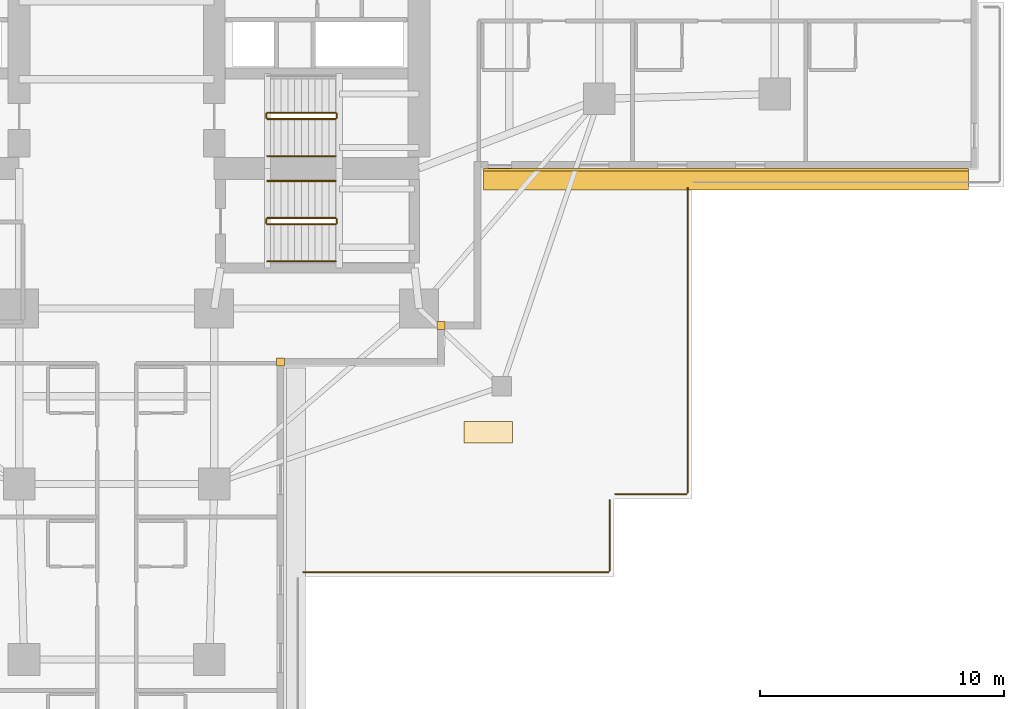
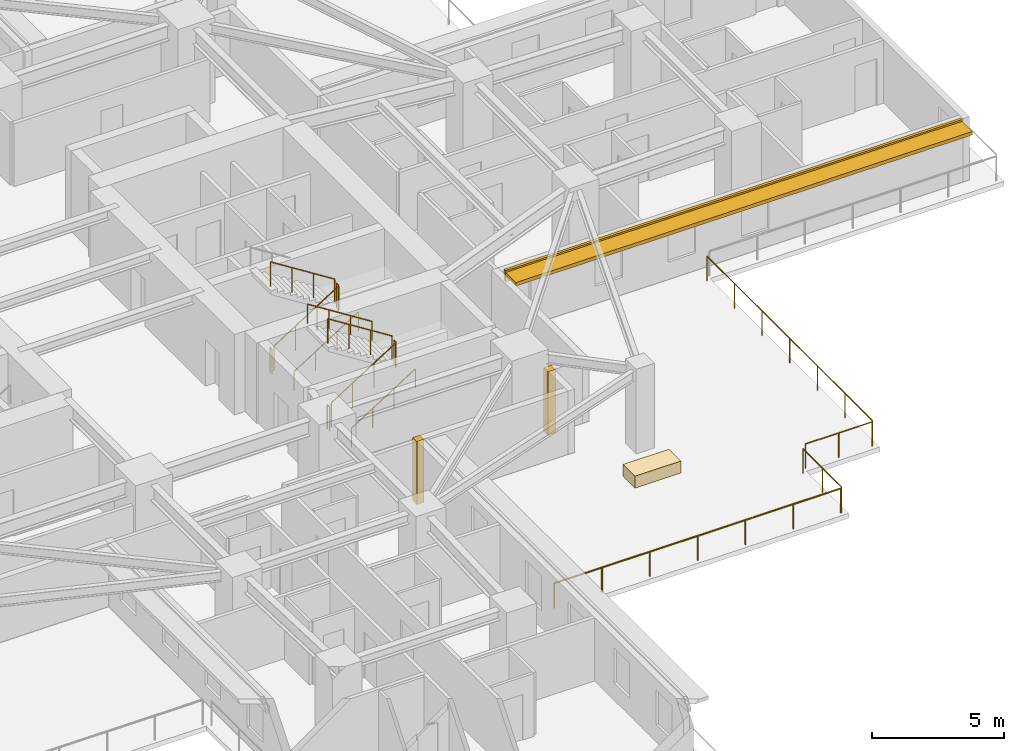
# One storey, part 12 of 15: 15 railings, 4 coverings, 1 shading device.
"""IFC4 building model written with IfcOpenShell, lengths in metres."""

from ifc_helpers import new_model, si_unit, direction, frame, origin, origin_2d, place, context, subcontext, project, spatial, rectangle, circle, extrude, material, layer, layer_set, type_object, element, save


model = new_model("IFC4")

# Units and contexts
model_context = context("Model", 3, precision=1e-05, world=origin(), true_north=direction((0.0, 1.0)))
body_context = subcontext(model_context, "Body", "Model", "MODEL_VIEW")
ifc_project = project(units=[si_unit("LENGTHUNIT", "METRE"), si_unit("AREAUNIT", "SQUARE_METRE"), si_unit("VOLUMEUNIT", "CUBIC_METRE"), si_unit("PLANEANGLEUNIT", "RADIAN"), si_unit("MASSUNIT", "GRAM", prefix="KILO")], contexts=[model_context])

# Site, building, storey
site_placement = place(None, origin())
site = spatial("IfcSite", under=ifc_project, at=site_placement, CompositionType="ELEMENT")
building_placement = place(site_placement, origin())
building = spatial("IfcBuilding", under=site, at=building_placement, Name="Qingluan Cross Belvedere", CompositionType="ELEMENT")
storey_placement = place(building_placement, frame((0.0, 0.0, 23.699951171875)))
storey = spatial("IfcBuildingStorey", under=building, at=storey_placement, Name="L06", CompositionType="ELEMENT", Elevation=23.699951171875)

# Coverings
ifc_material_1 = material(Name="Precast concrete C45", Category="concrete")
ifc_layer_1 = layer(ifc_material_1, 0.1201171875, Name="ConcreteSpandrelCladding_120")
ifc_layer_set_1 = layer_set([ifc_layer_1], Name="Precast concrete C45")
covering_type_1 = type_object("IfcCoveringType", Name="ConcreteSpandrelCladding_120", PredefinedType="CLADDING", material=ifc_layer_set_1)
covering_1_placement = place(storey_placement, frame((24.989990234375, -6.909912109375, 2.449951171875), z_axis=(0.0, 0.0, 1.0), x_axis=(1.0, 0.0, 0.0)))
element("IfcCovering", 1, at=covering_1_placement, inside=storey, type_object=covering_type_1, Name="Spandrel cladding L06-EA", PredefinedType="CLADDING", context=body_context, shape_type="SweptSolid", body=[
    extrude(rectangle(XDim=19.89990234375, YDim=0.1201171875, at=origin_2d()), origin(), (0.0, 0.0, 1.0), 0.52001953125),
])
for number, where, z_axis, x_axis, name in (
    (2, (13.300048828125, -13.300048828125, 0.0), (0.0, 0.0, 1.0), (1.0, 0.0, 0.0), "Corner closure L06-SE1"),
    (3, (6.719970703125, -14.800048828125, 0.0), (0.0, 0.0, 1.0), (1.0, 0.0, 0.0), "Corner closure L06-SE2"),
):
    element("IfcCovering", number, at=place(storey_placement, frame(where, z_axis=z_axis, x_axis=x_axis)), inside=storey, type_object=covering_type_1, Name=name, PredefinedType="CLADDING", context=body_context, shape_type="SweptSolid", body=[
        extrude(rectangle(XDim=0.320068359375, YDim=0.320068359375, at=origin_2d()), origin(), (0.0, 0.0, 1.0), 2.909912109375),
    ])

# Shading device
ifc_material_2 = material(Name="Precast concrete C45", Category="concrete")
ifc_layer_2 = layer(ifc_material_2, 0.159912109375, Name="ConcreteSunshadeBand_900")
ifc_layer_set_2 = layer_set([ifc_layer_2], Name="Precast concrete C45")
shading_device_type = type_object("IfcShadingDeviceType", Name="ConcreteSunshadeBand_900", PredefinedType="USERDEFINED", material=ifc_layer_set_2)
shading_device_placement = place(storey_placement, frame((24.989990234375, -7.2900390625, 2.72998046875), z_axis=(0.0, 0.0, 1.0), x_axis=(1.0, 0.0, 0.0)))
element("IfcShadingDevice", 4, at=shading_device_placement, inside=storey, type_object=shading_device_type, Name="Concrete SUNSHADE L06-EA", ObjectType="SUNSHADE", PredefinedType="USERDEFINED", context=body_context, shape_type="SweptSolid", body=[
    extrude(rectangle(XDim=19.89990234375, YDim=0.89990234375, at=origin_2d()), origin(), (0.0, 0.0, 1.0), 0.159912109375),
])

# Railings
ifc_material_3 = material(Name="Brushed stainless steel tubular handrail", Category="steel")
railing_type_1 = type_object("IfcRailingType", Name="StairPitchHandrail_900", PredefinedType="HANDRAIL", material=ifc_material_3)
for number, where, name in (
    (5, (6.179931640625, -6.35009765625, 0.17724609375), "L06 ST2 stair handrail 1"),
    (6, (6.179931640625, -10.669921875, 0.17724609375), "L06 ST4 stair handrail 1"),
):
    element("IfcRailing", number, at=place(storey_placement, frame(where)), inside=storey, type_object=railing_type_1, Name=name, PredefinedType="HANDRAIL", context=body_context, shape_type="SweptSolid", body=[
        extrude(circle(Radius=0.02392578125, at=origin_2d()), frame((0.0, 0.0, 0.8759765625), z_axis=(0.844908973607, 0.0, 0.534910110503), x_axis=(0.0, 1.0, 0.0)), (0.0, 0.0, 1.0), 3.31396484375),
        extrude(circle(Radius=0.02099609375, at=origin_2d()), origin(), (0.0, 0.0, 1.0), 0.851806640625),
        extrude(circle(Radius=0.02099609375, at=origin_2d()), frame((0.933349609375, 0.0, 0.5908203125)), (0.0, 0.0, 1.0), 0.851806640625),
        extrude(circle(Radius=0.02099609375, at=origin_2d()), frame((1.86669921875, 0.0, 1.181884765625)), (0.0, 0.0, 1.0), 0.851806640625),
        extrude(circle(Radius=0.02099609375, at=origin_2d()), frame((2.800048828125, 0.0, 1.772705078125)), (0.0, 0.0, 1.0), 0.851806640625),
    ])
railing_1_placement = place(storey_placement, frame((8.97998046875, -7.3701171875, 2.12744140625)))
element("IfcRailing", 7, at=railing_1_placement, inside=storey, type_object=railing_type_1, Name="L06 ST4 stair handrail 2", PredefinedType="HANDRAIL", context=body_context, shape_type="SweptSolid", body=[
    extrude(circle(Radius=0.02392578125, at=origin_2d()), frame((0.0, 0.0, 0.8759765625), z_axis=(-0.844908973607, 0.0, 0.534910110503), x_axis=(0.0, -1.0, 0.0)), (0.0, 0.0, 1.0), 3.31396484375),
    extrude(circle(Radius=0.02099609375, at=origin_2d()), origin(), (0.0, 0.0, 1.0), 0.851806640625),
    extrude(circle(Radius=0.02099609375, at=origin_2d()), frame((-0.933349609375, 0.0, 0.5908203125)), (0.0, 0.0, 1.0), 0.851806640625),
    extrude(circle(Radius=0.02099609375, at=origin_2d()), frame((-1.86669921875, 0.0, 1.181884765625)), (0.0, 0.0, 1.0), 0.851806640625),
    extrude(circle(Radius=0.02099609375, at=origin_2d()), frame((-2.800048828125, 0.0, 1.772705078125)), (0.0, 0.0, 1.0), 0.851806640625),
])
ifc_material_4 = material(Name="Painted steel stair well guard", Category="steel")
railing_type_2 = type_object("IfcRailingType", Name="StairWellGuard_1150", PredefinedType="BALUSTRADE", material=ifc_material_4)
railing_2_placement = place(storey_placement, frame((6.179931640625, -4.830078125, 0.17724609375)))
element("IfcRailing", 8, at=railing_2_placement, inside=storey, type_object=railing_type_2, Name="L06 ST2 stair guard 1", PredefinedType="BALUSTRADE", context=body_context, shape_type="SweptSolid", body=[
    extrude(circle(Radius=0.02392578125, at=origin_2d()), frame((0.0, 0.0, 1.1259765625), z_axis=(0.844908973607, 0.0, 0.534910110503), x_axis=(0.0, 1.0, 0.0)), (0.0, 0.0, 1.0), 3.31396484375),
    extrude(circle(Radius=0.02099609375, at=origin_2d()), origin(), (0.0, 0.0, 1.0), 1.101806640625),
    extrude(circle(Radius=0.02099609375, at=origin_2d()), frame((0.933349609375, 0.0, 0.5908203125)), (0.0, 0.0, 1.0), 1.101806640625),
    extrude(circle(Radius=0.02099609375, at=origin_2d()), frame((1.86669921875, 0.0, 1.181884765625)), (0.0, 0.0, 1.0), 1.101806640625),
    extrude(circle(Radius=0.02099609375, at=origin_2d()), frame((2.800048828125, 0.0, 1.772705078125)), (0.0, 0.0, 1.0), 1.101806640625),
])
railing_3_placement = place(storey_placement, frame((9.030029296875, -4.780029296875, 1.949951171875)))
element("IfcRailing", 9, at=railing_3_placement, inside=storey, type_object=railing_type_2, Name="L06 ST2 stair guard 2", PredefinedType="BALUSTRADE", context=body_context, shape_type="SweptSolid", body=[
    extrude(circle(Radius=0.02392578125, at=origin_2d()), frame((0.0, 0.0, 1.1259765625), z_axis=(0.0, 1.0, 0.0), x_axis=(-1.0, 0.0, 0.0)), (0.0, 0.0, 1.0), 0.159912109375),
    extrude(circle(Radius=0.02099609375, at=origin_2d()), origin(), (0.0, 0.0, 1.0), 1.101806640625),
    extrude(circle(Radius=0.02099609375, at=origin_2d()), frame((0.0, 0.159912109375, 0.0)), (0.0, 0.0, 1.0), 1.101806640625),
])
railing_4_placement = place(storey_placement, frame((8.97998046875, -4.570068359375, 2.12744140625)))
element("IfcRailing", 10, at=railing_4_placement, inside=storey, type_object=railing_type_2, Name="L06 ST2 stair guard 3", PredefinedType="BALUSTRADE", context=body_context, shape_type="SweptSolid", body=[
    extrude(circle(Radius=0.02392578125, at=origin_2d()), frame((0.0, 0.0, 1.1259765625), z_axis=(-0.844908973607, 0.0, 0.534910110503), x_axis=(0.0, -1.0, 0.0)), (0.0, 0.0, 1.0), 3.31396484375),
    extrude(circle(Radius=0.02099609375, at=origin_2d()), origin(), (0.0, 0.0, 1.0), 1.101806640625),
    extrude(circle(Radius=0.02099609375, at=origin_2d()), frame((-0.933349609375, 0.0, 0.5908203125)), (0.0, 0.0, 1.0), 1.101806640625),
    extrude(circle(Radius=0.02099609375, at=origin_2d()), frame((-1.86669921875, 0.0, 1.181884765625)), (0.0, 0.0, 1.0), 1.101806640625),
    extrude(circle(Radius=0.02099609375, at=origin_2d()), frame((-2.800048828125, 0.0, 1.772705078125)), (0.0, 0.0, 1.0), 1.101806640625),
])
railing_5_placement = place(storey_placement, frame((6.1298828125, -4.780029296875, 0.0)))
element("IfcRailing", 11, at=railing_5_placement, inside=storey, type_object=railing_type_2, Name="L06 ST2 stair guard 4", PredefinedType="BALUSTRADE", context=body_context, shape_type="SweptSolid", body=[
    extrude(circle(Radius=0.02392578125, at=origin_2d()), frame((0.0, 0.0, 1.1259765625), z_axis=(0.0, 1.0, 0.0), x_axis=(-1.0, 0.0, 0.0)), (0.0, 0.0, 1.0), 0.159912109375),
    extrude(circle(Radius=0.02099609375, at=origin_2d()), origin(), (0.0, 0.0, 1.0), 1.101806640625),
    extrude(circle(Radius=0.02099609375, at=origin_2d()), frame((0.0, 0.159912109375, 0.0)), (0.0, 0.0, 1.0), 1.101806640625),
])
railing_6_placement = place(storey_placement, frame((6.179931640625, -9.14990234375, 0.17724609375)))
element("IfcRailing", 12, at=railing_6_placement, inside=storey, type_object=railing_type_2, Name="L06 ST4 stair guard 1", PredefinedType="BALUSTRADE", context=body_context, shape_type="SweptSolid", body=[
    extrude(circle(Radius=0.02392578125, at=origin_2d()), frame((0.0, 0.0, 1.1259765625), z_axis=(0.844908973607, 0.0, 0.534910110503), x_axis=(0.0, 1.0, 0.0)), (0.0, 0.0, 1.0), 3.31396484375),
    extrude(circle(Radius=0.02099609375, at=origin_2d()), origin(), (0.0, 0.0, 1.0), 1.101806640625),
    extrude(circle(Radius=0.02099609375, at=origin_2d()), frame((0.933349609375, 0.0, 0.5908203125)), (0.0, 0.0, 1.0), 1.101806640625),
    extrude(circle(Radius=0.02099609375, at=origin_2d()), frame((1.86669921875, 0.0, 1.181884765625)), (0.0, 0.0, 1.0), 1.101806640625),
    extrude(circle(Radius=0.02099609375, at=origin_2d()), frame((2.800048828125, 0.0, 1.772705078125)), (0.0, 0.0, 1.0), 1.101806640625),
])
railing_7_placement = place(storey_placement, frame((9.030029296875, -9.10009765625, 1.949951171875)))
element("IfcRailing", 13, at=railing_7_placement, inside=storey, type_object=railing_type_2, Name="L06 ST4 stair guard 2", PredefinedType="BALUSTRADE", context=body_context, shape_type="SweptSolid", body=[
    extrude(circle(Radius=0.02392578125, at=origin_2d()), frame((0.0, 0.0, 1.1259765625), z_axis=(0.0, 1.0, 0.0), x_axis=(-1.0, 0.0, 0.0)), (0.0, 0.0, 1.0), 0.16015625),
    extrude(circle(Radius=0.02099609375, at=origin_2d()), origin(), (0.0, 0.0, 1.0), 1.101806640625),
    extrude(circle(Radius=0.02099609375, at=origin_2d()), frame((0.0, 0.16015625, 0.0)), (0.0, 0.0, 1.0), 1.101806640625),
])
railing_8_placement = place(storey_placement, frame((8.97998046875, -8.889892578125, 2.12744140625)))
element("IfcRailing", 14, at=railing_8_placement, inside=storey, type_object=railing_type_2, Name="L06 ST4 stair guard 3", PredefinedType="BALUSTRADE", context=body_context, shape_type="SweptSolid", body=[
    extrude(circle(Radius=0.02392578125, at=origin_2d()), frame((0.0, 0.0, 1.1259765625), z_axis=(-0.844908973607, 0.0, 0.534910110503), x_axis=(0.0, -1.0, 0.0)), (0.0, 0.0, 1.0), 3.31396484375),
    extrude(circle(Radius=0.02099609375, at=origin_2d()), origin(), (0.0, 0.0, 1.0), 1.101806640625),
    extrude(circle(Radius=0.02099609375, at=origin_2d()), frame((-0.933349609375, 0.0, 0.5908203125)), (0.0, 0.0, 1.0), 1.101806640625),
    extrude(circle(Radius=0.02099609375, at=origin_2d()), frame((-1.86669921875, 0.0, 1.181884765625)), (0.0, 0.0, 1.0), 1.101806640625),
    extrude(circle(Radius=0.02099609375, at=origin_2d()), frame((-2.800048828125, 0.0, 1.772705078125)), (0.0, 0.0, 1.0), 1.101806640625),
])
railing_9_placement = place(storey_placement, frame((6.1298828125, -9.10009765625, 0.0)))
element("IfcRailing", 15, at=railing_9_placement, inside=storey, type_object=railing_type_2, Name="L06 ST4 stair guard 4", PredefinedType="BALUSTRADE", context=body_context, shape_type="SweptSolid", body=[
    extrude(circle(Radius=0.02392578125, at=origin_2d()), frame((0.0, 0.0, 1.1259765625), z_axis=(0.0, 1.0, 0.0), x_axis=(-1.0, 0.0, 0.0)), (0.0, 0.0, 1.0), 0.16015625),
    extrude(circle(Radius=0.02099609375, at=origin_2d()), origin(), (0.0, 0.0, 1.0), 1.101806640625),
    extrude(circle(Radius=0.02099609375, at=origin_2d()), frame((0.0, 0.16015625, 0.0)), (0.0, 0.0, 1.0), 1.101806640625),
])
ifc_material_5 = material(Name="Laminated glass and stainless steel balustrade", Category="steel")
railing_type_3 = type_object("IfcRailingType", Name="TerraceGuardBalustrade_1150", PredefinedType="BALUSTRADE", material=ifc_material_5)
railing_10_placement = place(storey_placement, frame((23.419921875, -7.659912109375, 0.0)))
element("IfcRailing", 16, at=railing_10_placement, inside=storey, type_object=railing_type_3, Name="Terrace guard L06-6", PredefinedType="BALUSTRADE", context=body_context, shape_type="SweptSolid", body=[
    extrude(circle(Radius=0.02392578125, at=origin_2d()), frame((0.0, 0.0, 1.1259765625), z_axis=(0.0, -1.0, 0.0), x_axis=(1.0, 0.0, 0.0)), (0.0, 0.0, 1.0), 12.5),
    extrude(circle(Radius=0.02099609375, at=origin_2d()), origin(), (0.0, 0.0, 1.0), 1.101806640625),
    extrude(circle(Radius=0.02099609375, at=origin_2d()), frame((0.0, -2.083251953125, 0.0)), (0.0, 0.0, 1.0), 1.101806640625),
    extrude(circle(Radius=0.02099609375, at=origin_2d()), frame((0.0, -4.166748046875, 0.0)), (0.0, 0.0, 1.0), 1.101806640625),
    extrude(circle(Radius=0.02099609375, at=origin_2d()), frame((0.0, -6.25, 0.0)), (0.0, 0.0, 1.0), 1.101806640625),
    extrude(circle(Radius=0.02099609375, at=origin_2d()), frame((0.0, -8.333251953125, 0.0)), (0.0, 0.0, 1.0), 1.101806640625),
    extrude(circle(Radius=0.02099609375, at=origin_2d()), frame((0.0, -10.416748046875, 0.0)), (0.0, 0.0, 1.0), 1.101806640625),
    extrude(circle(Radius=0.02099609375, at=origin_2d()), frame((0.0, -12.5, 0.0)), (0.0, 0.0, 1.0), 1.101806640625),
])
railing_11_placement = place(storey_placement, frame((23.360107421875, -20.219970703125, 0.0)))
element("IfcRailing", 17, at=railing_11_placement, inside=storey, type_object=railing_type_3, Name="Terrace guard L06-7", PredefinedType="BALUSTRADE", context=body_context, shape_type="SweptSolid", body=[
    extrude(circle(Radius=0.02392578125, at=origin_2d()), frame((0.0, 0.0, 1.1259765625), z_axis=(-1.0, 0.0, 0.0), x_axis=(0.0, -1.0, 0.0)), (0.0, 0.0, 1.0), 2.900146484375),
    extrude(circle(Radius=0.02099609375, at=origin_2d()), origin(), (0.0, 0.0, 1.0), 1.101806640625),
    extrude(circle(Radius=0.02099609375, at=origin_2d()), frame((-1.4501953125, 0.0, 0.0)), (0.0, 0.0, 1.0), 1.101806640625),
    extrude(circle(Radius=0.02099609375, at=origin_2d()), frame((-2.900146484375, 0.0, 0.0)), (0.0, 0.0, 1.0), 1.101806640625),
])
railing_12_placement = place(storey_placement, frame((20.219970703125, -20.4599609375, 0.0)))
element("IfcRailing", 18, at=railing_12_placement, inside=storey, type_object=railing_type_3, Name="Terrace guard L06-8", PredefinedType="BALUSTRADE", context=body_context, shape_type="SweptSolid", body=[
    extrude(circle(Radius=0.02392578125, at=origin_2d()), frame((0.0, 0.0, 1.1259765625), z_axis=(0.0, -1.0, 0.0), x_axis=(1.0, 0.0, 0.0)), (0.0, 0.0, 1.0), 2.900146484375),
    extrude(circle(Radius=0.02099609375, at=origin_2d()), origin(), (0.0, 0.0, 1.0), 1.101806640625),
    extrude(circle(Radius=0.02099609375, at=origin_2d()), frame((0.0, -1.4501953125, 0.0)), (0.0, 0.0, 1.0), 1.101806640625),
    extrude(circle(Radius=0.02099609375, at=origin_2d()), frame((0.0, -2.900146484375, 0.0)), (0.0, 0.0, 1.0), 1.101806640625),
])
railing_13_placement = place(storey_placement, frame((20.159912109375, -23.419921875, 0.0)))
element("IfcRailing", 19, at=railing_13_placement, inside=storey, type_object=railing_type_3, Name="Terrace guard L06-9", PredefinedType="BALUSTRADE", context=body_context, shape_type="SweptSolid", body=[
    extrude(circle(Radius=0.02392578125, at=origin_2d()), frame((0.0, 0.0, 1.1259765625), z_axis=(-1.0, 0.0, 0.0), x_axis=(0.0, -1.0, 0.0)), (0.0, 0.0, 1.0), 12.5),
    extrude(circle(Radius=0.02099609375, at=origin_2d()), origin(), (0.0, 0.0, 1.0), 1.101806640625),
    extrude(circle(Radius=0.02099609375, at=origin_2d()), frame((-2.083251953125, 0.0, 0.0)), (0.0, 0.0, 1.0), 1.101806640625),
    extrude(circle(Radius=0.02099609375, at=origin_2d()), frame((-4.166748046875, 0.0, 0.0)), (0.0, 0.0, 1.0), 1.101806640625),
    extrude(circle(Radius=0.02099609375, at=origin_2d()), frame((-6.25, 0.0, 0.0)), (0.0, 0.0, 1.0), 1.101806640625),
    extrude(circle(Radius=0.02099609375, at=origin_2d()), frame((-8.333251953125, 0.0, 0.0)), (0.0, 0.0, 1.0), 1.101806640625),
    extrude(circle(Radius=0.02099609375, at=origin_2d()), frame((-10.416748046875, 0.0, 0.0)), (0.0, 0.0, 1.0), 1.101806640625),
    extrude(circle(Radius=0.02099609375, at=origin_2d()), frame((-12.5, 0.0, 0.0)), (0.0, 0.0, 1.0), 1.101806640625),
])

# Covering
ifc_material_6 = material(Name="Precast concrete C40", Category="concrete")
ifc_layer_3 = layer(ifc_material_6, 0.550048828125, Name="TerracePlanterBox")
ifc_layer_set_3 = layer_set([ifc_layer_3], Name="Precast concrete C40")
covering_type_2 = type_object("IfcCoveringType", Name="TerracePlanterBox", PredefinedType="USERDEFINED", material=ifc_layer_set_3)
covering_2_placement = place(storey_placement, frame((15.239990234375, -17.679931640625, 0.0), z_axis=(0.0, 0.0, 1.0), x_axis=(1.0, 0.0, 0.0)))
element("IfcCovering", 20, at=covering_2_placement, inside=storey, type_object=covering_type_2, Name="Terrace garden planter L06-4", ObjectType="PLANTER", PredefinedType="USERDEFINED", context=body_context, shape_type="SweptSolid", body=[
    extrude(rectangle(XDim=2.0, YDim=0.89990234375, at=origin_2d()), origin(), (0.0, 0.0, 1.0), 0.550048828125),
])

save(model, "model.ifc")
